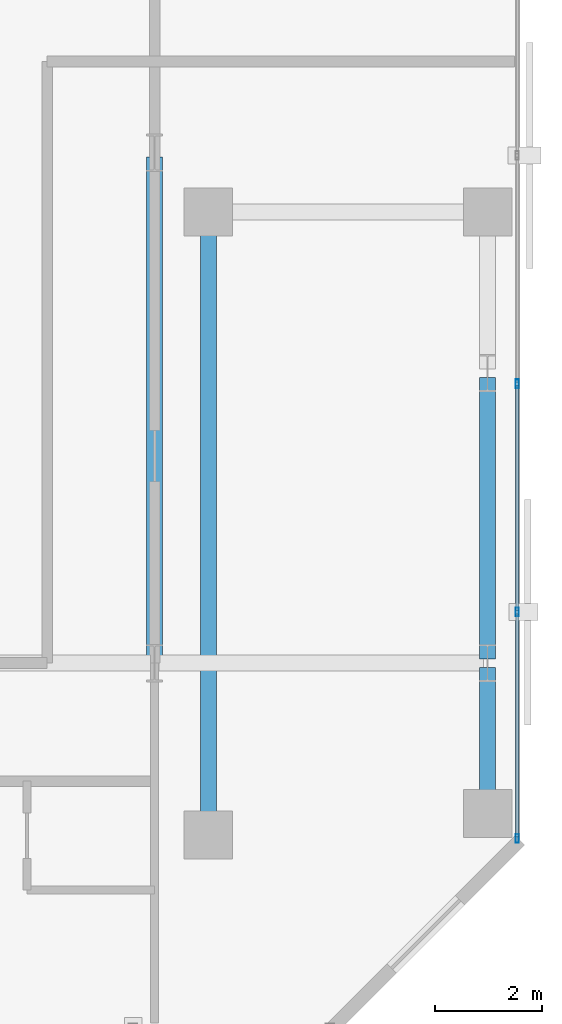
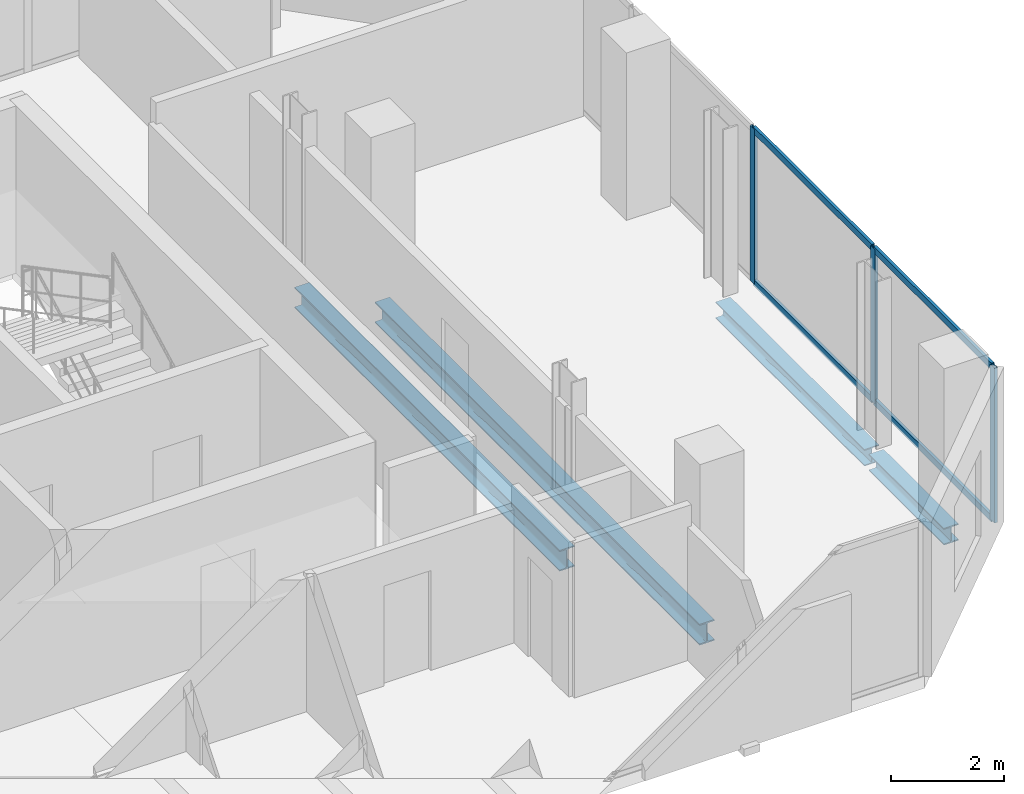
# One storey, part 16 of 34: 7 members, 4 beams, 1 element without a shape of its own.
"""IFC4 building model written with IfcOpenShell, lengths in metres."""

from ifc_helpers import new_model, si_unit, direction, frame, origin, origin_2d, place, context, subcontext, project, spatial, hollow_rectangle, i_section, extrude, material, layer, layer_set, material_profile, profile_set, type_object, element, aggregate, save


model = new_model("IFC4")

# Units and contexts
model_context = context("Model", 3, precision=1e-05, world=origin(), true_north=direction((0.0, 1.0)))
body_context = subcontext(model_context, "Body", "Model", "MODEL_VIEW")
ifc_project = project(units=[si_unit("LENGTHUNIT", "METRE"), si_unit("AREAUNIT", "SQUARE_METRE"), si_unit("VOLUMEUNIT", "CUBIC_METRE"), si_unit("PLANEANGLEUNIT", "RADIAN"), si_unit("MASSUNIT", "GRAM", prefix="KILO")], contexts=[model_context])

# Site, building, storey
site_placement = place(None, origin())
site = spatial("IfcSite", under=ifc_project, at=site_placement, CompositionType="ELEMENT")
building_placement = place(site_placement, origin())
building = spatial("IfcBuilding", under=site, at=building_placement, Name="Catumbela Crestline Tower", CompositionType="ELEMENT")
storey_placement = place(building_placement, frame((0.0, 0.0, 111.6)))
storey = spatial("IfcBuildingStorey", under=building, at=storey_placement, Name="L28", CompositionType="ELEMENT", Elevation=111.6)

# Beams
ifc_material_1 = material(Name="Structural steel S355J2", Category="steel")
ifc_material_profile_1 = material_profile(ifc_material_1, i_section(OverallWidth=0.3, OverallDepth=0.45, WebThickness=0.014, FlangeThickness=0.026, FilletRadius=0.027, at=origin_2d()), Name="HEB 450")
ifc_profile_set_1 = profile_set([ifc_material_profile_1], Name="Structural steel S355J2")
beam_type_1 = type_object("IfcBeamType", Name="BG-HEB450", PredefinedType="BEAM", material=ifc_profile_set_1)
beam_1_placement = place(storey_placement, frame((44.2, 30.88, -0.485), z_axis=(0.0, 1.0, 0.0), x_axis=(-1.0, 0.0, 0.0)))
element("IfcBeam", 1, at=beam_1_placement, inside=storey, type_object=beam_type_1, Name="L28 Beam BM-L28-SN32", PredefinedType="BEAM", context=body_context, shape_type="SweptSolid", body=[
    extrude(i_section(OverallWidth=0.3, OverallDepth=0.45, WebThickness=0.014, FlangeThickness=0.026, FilletRadius=0.027, at=origin_2d()), origin(), (0.0, 0.0, 1.0), 9.34),
])
beam_2_placement = place(storey_placement, frame((45.2, 27.68, -0.485), z_axis=(0.0, 1.0, 0.0), x_axis=(-1.0, 0.0, 0.0)))
element("IfcBeam", 2, at=beam_2_placement, inside=storey, type_object=beam_type_1, Name="L28 Beam BM-L28-SN33", PredefinedType="BEAM", context=body_context, shape_type="SweptSolid", body=[
    extrude(i_section(OverallWidth=0.3, OverallDepth=0.45, WebThickness=0.014, FlangeThickness=0.026, FilletRadius=0.027, at=origin_2d()), origin(), (0.0, 0.0, 1.0), 11.44),
])

# Curtain wall, members
ifc_material_2 = material(Name="Aluminium alloy AW-6060-T66", Category="aluminium")
ifc_layer = layer(ifc_material_2, 0.18, Name="Aluminium alloy AW-6060-T66")
ifc_layer_set = layer_set([ifc_layer], Name="Aluminium alloy AW-6060-T66")
curtain_wall_type = type_object("IfcCurtainWallType", Name="CWU-Z2", PredefinedType="USERDEFINED", material=ifc_layer_set)
curtain_wall_placement = place(storey_placement, origin())
curtain_wall = element("IfcCurtainWall", 3, at=curtain_wall_placement, inside=storey, type_object=curtain_wall_type, Name="L28 Unitised Curtain Wall CW-L28-E5S1", ObjectType="UNITISED", PredefinedType="USERDEFINED")
ifc_material_profile_2 = material_profile(ifc_material_2, hollow_rectangle(XDim=0.06, YDim=0.16, WallThickness=0.004, at=origin_2d()), Name="ALU 160x60x4")
ifc_profile_set_2 = profile_set([ifc_material_profile_2], Name="Aluminium alloy AW-6060-T66")
member_type_1 = type_object("IfcMemberType", Name="MUL-160X60", PredefinedType="MULLION", material=ifc_profile_set_2)
member_1_placement = place(storey_placement, frame((50.95, 27.5325, 0.0), z_axis=(0.0, 0.0, 1.0), x_axis=(-1.0, 0.0, 0.0)))
member_1 = element("IfcMember", 4, at=member_1_placement, type_object=member_type_1, Name="CWU-Z2 mullion 1", PredefinedType="MULLION", context=body_context, shape_type="SweptSolid", body=[
    extrude(hollow_rectangle(XDim=0.06, YDim=0.16, WallThickness=0.004, at=origin_2d()), origin(), (0.0, 0.0, 1.0), 3.33),
])
member_2_placement = place(storey_placement, frame((50.95, 31.75, 0.0), z_axis=(0.0, 0.0, 1.0), x_axis=(-1.0, 0.0, 0.0)))
member_2 = element("IfcMember", 5, at=member_2_placement, type_object=member_type_1, Name="CWU-Z2 mullion 2", PredefinedType="MULLION", context=body_context, shape_type="SweptSolid", body=[
    extrude(hollow_rectangle(XDim=0.06, YDim=0.16, WallThickness=0.004, at=origin_2d()), origin(), (0.0, 0.0, 1.0), 3.33),
])
member_3_placement = place(storey_placement, frame((50.95, 36.0, 0.0), z_axis=(0.0, 0.0, 1.0), x_axis=(-1.0, 0.0, 0.0)))
member_3 = element("IfcMember", 6, at=member_3_placement, type_object=member_type_1, Name="CWU-Z2 mullion 3", PredefinedType="MULLION", context=body_context, shape_type="SweptSolid", body=[
    extrude(hollow_rectangle(XDim=0.06, YDim=0.16, WallThickness=0.004, at=origin_2d()), origin(), (0.0, 0.0, 1.0), 3.33),
])

# Beams
ifc_material_profile_3 = material_profile(ifc_material_1, i_section(OverallWidth=0.3, OverallDepth=0.36, WebThickness=0.0125, FlangeThickness=0.0225, FilletRadius=0.027, at=origin_2d()), Name="HEB 360")
ifc_profile_set_3 = profile_set([ifc_material_profile_3], Name="Structural steel S355J2")
beam_type_2 = type_object("IfcBeamType", Name="BS-HEB360", PredefinedType="SPANDREL", material=ifc_profile_set_3)
beam_3_placement = place(storey_placement, frame((50.4, 28.08, -0.44), z_axis=(0.0, 1.0, 0.0), x_axis=(-1.0, 0.0, 0.0)))
element("IfcBeam", 7, at=beam_3_placement, inside=storey, type_object=beam_type_2, Name="L28 Spandrel SP-L28-SN34", PredefinedType="SPANDREL", context=body_context, shape_type="SweptSolid", body=[
    extrude(i_section(OverallWidth=0.3, OverallDepth=0.36, WebThickness=0.0125, FlangeThickness=0.0225, FilletRadius=0.027, at=origin_2d()), origin(), (0.0, 0.0, 1.0), 2.64),
])
beam_4_placement = place(storey_placement, frame((50.4, 30.88, -0.44), z_axis=(0.0, 1.0, 0.0), x_axis=(-1.0, 0.0, 0.0)))
element("IfcBeam", 8, at=beam_4_placement, inside=storey, type_object=beam_type_2, Name="L28 Spandrel SP-L28-SN35", PredefinedType="SPANDREL", context=body_context, shape_type="SweptSolid", body=[
    extrude(i_section(OverallWidth=0.3, OverallDepth=0.36, WebThickness=0.0125, FlangeThickness=0.0225, FilletRadius=0.027, at=origin_2d()), origin(), (0.0, 0.0, 1.0), 5.24),
])

# Member
ifc_material_profile_4 = material_profile(ifc_material_2, hollow_rectangle(XDim=0.06, YDim=0.14, WallThickness=0.004, at=origin_2d()), Name="ALU 140x60x4")
ifc_profile_set_4 = profile_set([ifc_material_profile_4], Name="Aluminium alloy AW-6060-T66")
member_type_2 = type_object("IfcMemberType", Name="TRN-140X60", PredefinedType="USERDEFINED", material=ifc_profile_set_4)
member_4_placement = place(storey_placement, frame((50.95, 27.565, 0.03), z_axis=(0.0, 1.0, 0.0), x_axis=(-1.0, 0.0, 0.0)))
member_4 = element("IfcMember", 9, at=member_4_placement, type_object=member_type_2, Name="CWU-Z2 transom 1.1", ObjectType="TRANSOM", PredefinedType="USERDEFINED", context=body_context, shape_type="SweptSolid", body=[
    extrude(hollow_rectangle(XDim=0.06, YDim=0.14, WallThickness=0.004, at=origin_2d()), origin(), (0.0, 0.0, 1.0), 4.1525),
])

member_5_placement = place(storey_placement, frame((50.95, 27.565, 3.3), z_axis=(0.0, 1.0, 0.0), x_axis=(-1.0, 0.0, 0.0)))
member_5 = element("IfcMember", 10, at=member_5_placement, type_object=member_type_2, Name="CWU-Z2 transom 1.2", ObjectType="TRANSOM", PredefinedType="USERDEFINED", context=body_context, shape_type="SweptSolid", body=[
    extrude(hollow_rectangle(XDim=0.06, YDim=0.14, WallThickness=0.004, at=origin_2d()), origin(), (0.0, 0.0, 1.0), 4.1525),
])

member_6_placement = place(storey_placement, frame((50.95, 31.7825, 0.03), z_axis=(0.0, 1.0, 0.0), x_axis=(-1.0, 0.0, 0.0)))
member_6 = element("IfcMember", 11, at=member_6_placement, type_object=member_type_2, Name="CWU-Z2 transom 2.1", ObjectType="TRANSOM", PredefinedType="USERDEFINED", context=body_context, shape_type="SweptSolid", body=[
    extrude(hollow_rectangle(XDim=0.06, YDim=0.14, WallThickness=0.004, at=origin_2d()), origin(), (0.0, 0.0, 1.0), 4.185),
])

member_7_placement = place(storey_placement, frame((50.95, 31.7825, 3.3), z_axis=(0.0, 1.0, 0.0), x_axis=(-1.0, 0.0, 0.0)))
member_7 = element("IfcMember", 12, at=member_7_placement, type_object=member_type_2, Name="CWU-Z2 transom 2.2", ObjectType="TRANSOM", PredefinedType="USERDEFINED", context=body_context, shape_type="SweptSolid", body=[
    extrude(hollow_rectangle(XDim=0.06, YDim=0.14, WallThickness=0.004, at=origin_2d()), origin(), (0.0, 0.0, 1.0), 4.185),
])

aggregate(curtain_wall, [member_1, member_2, member_3, member_4, member_5, member_6, member_7])

save(model, "model.ifc")
